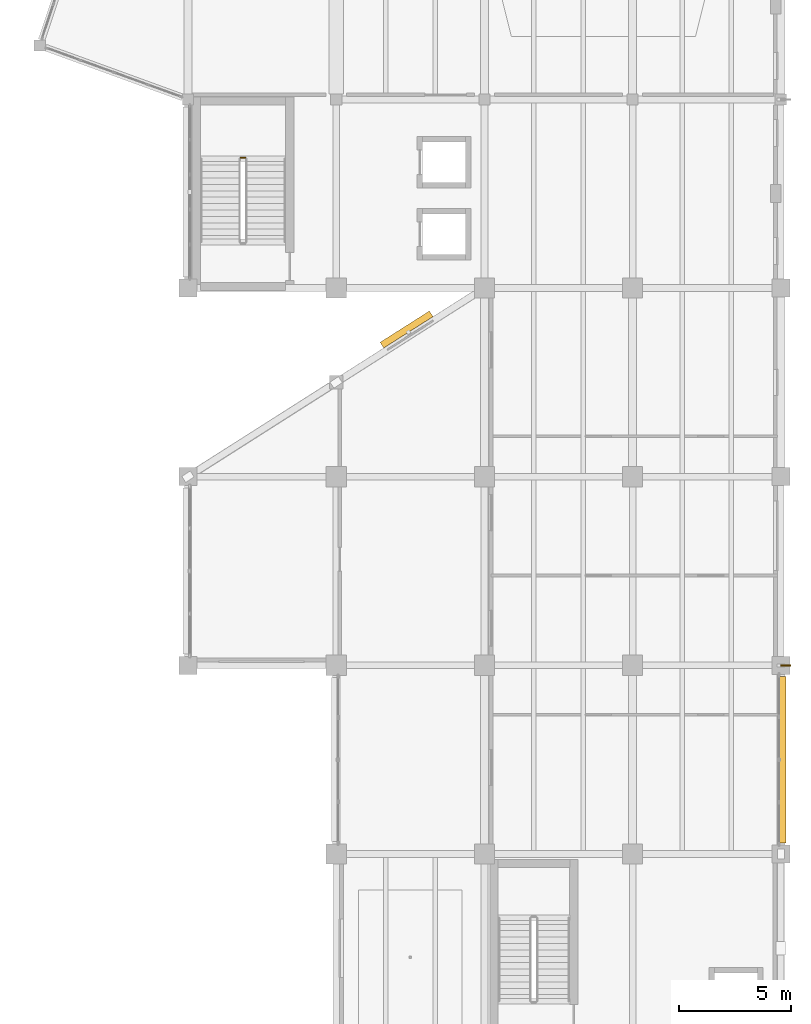
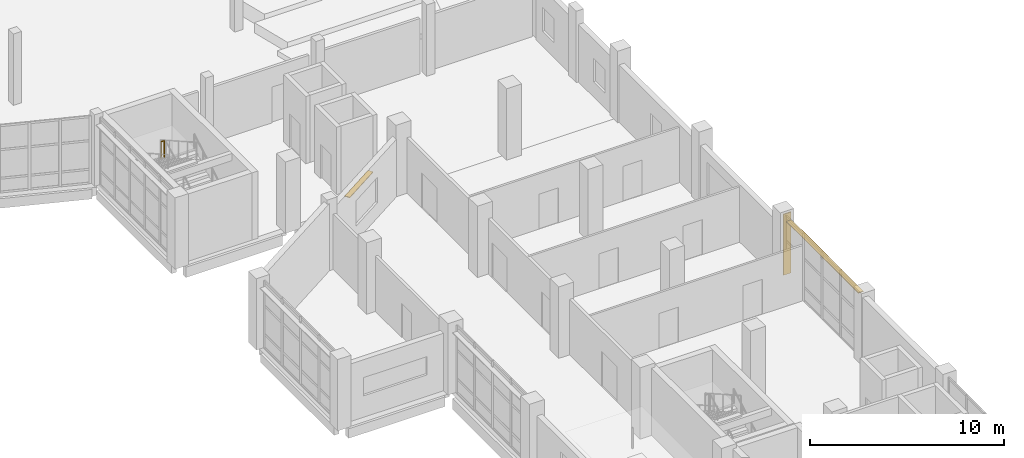
# One storey, part 74 of 76: 3 shading devices, 1 railing.
"""IFC4 building model written with IfcOpenShell, lengths in metres."""

from ifc_helpers import new_model, si_unit, direction, frame, origin, origin_2d, place, context, subcontext, project, spatial, rectangle, circle, extrude, material, layer, layer_set, type_object, element, save


model = new_model("IFC4")

# Units and contexts
model_context = context("Model", 3, precision=1e-05, world=origin(), true_north=direction((0.0, 1.0)))
body_context = subcontext(model_context, "Body", "Model", "MODEL_VIEW")
ifc_project = project(units=[si_unit("LENGTHUNIT", "METRE"), si_unit("AREAUNIT", "SQUARE_METRE"), si_unit("VOLUMEUNIT", "CUBIC_METRE"), si_unit("PLANEANGLEUNIT", "RADIAN"), si_unit("MASSUNIT", "GRAM", prefix="KILO")], contexts=[model_context])

# Site, building, storey
site_placement = place(None, origin())
site = spatial("IfcSite", under=ifc_project, at=site_placement, CompositionType="ELEMENT")
building_placement = place(site_placement, origin())
building = spatial("IfcBuilding", under=site, at=building_placement, Name="Qaldarim Faculty of Natural and Applied Sciences", CompositionType="ELEMENT")
storey_placement = place(building_placement, frame((0.0, 0.0, 9.89990234375)))
storey = spatial("IfcBuildingStorey", under=building, at=storey_placement, Name="L02", CompositionType="ELEMENT", Elevation=9.89990234375)

# Railing
ifc_material_1 = material(Name="Architectural stainless steel 316", Category="steel")
railing_type = type_object("IfcRailingType", Name="GuardBalustrade-1100", PredefinedType="BALUSTRADE", material=ifc_material_1)
railing_placement = place(storey_placement, frame((154.35009765625, 64.60498046875, 2.25)))
element("IfcRailing", 1, at=railing_placement, inside=storey, type_object=railing_type, Name="ST-C1 L02 stair well guard 2", PredefinedType="BALUSTRADE", context=body_context, shape_type="SweptSolid", body=[
    extrude(circle(Radius=0.02392578125, at=origin_2d()), frame((0.0, 0.0, 1.076171875), z_axis=(-1.0, 0.0, 0.0), x_axis=(0.0, -1.0, 0.0)), (0.0, 0.0, 1.0), 0.2001953125),
    extrude(circle(Radius=0.02099609375, at=origin_2d()), origin(), (0.0, 0.0, 1.0), 1.052001953125),
    extrude(circle(Radius=0.02099609375, at=origin_2d()), frame((-0.2001953125, 0.0, 0.0)), (0.0, 0.0, 1.0), 1.052001953125),
])

# Shading devices
ifc_material_2 = material(Name="Champagne anodised aluminium AW-6063", Category="aluminium")
ifc_layer_1 = layer(ifc_material_2, 0.050048828125)
ifc_layer_set_1 = layer_set([ifc_layer_1], Name="Champagne anodised aluminium AW-6063")
shading_device_type_1 = type_object("IfcShadingDeviceType", Name="SolarLouvre-ALU300x50", PredefinedType="JALOUSIE", material=ifc_layer_set_1)
shading_device_1_placement = place(storey_placement, frame((178.27001953125, 37.800048828125, 3.865234375), z_axis=(0.0, 0.0, 1.0), x_axis=(0.0, 1.0, 0.0)))
element("IfcShadingDevice", 2, at=shading_device_1_placement, inside=storey, type_object=shading_device_type_1, Name="Horizontal solar louvre L02 E X27Y05", PredefinedType="JALOUSIE", context=body_context, shape_type="SweptSolid", body=[
    extrude(rectangle(XDim=7.409912109375, YDim=0.300048828125, at=origin_2d()), origin(), (0.0, 0.0, 1.0), 0.050048828125),
])
shading_device_2_placement = place(storey_placement, frame((161.534912109375, 56.955078125, 2.67529296875), z_axis=(0.0, 0.0, 1.0), x_axis=(0.843775713382, 0.536695952571, 0.0)))
element("IfcShadingDevice", 3, at=shading_device_2_placement, inside=storey, type_object=shading_device_type_1, Name="Oblique facade horizontal solar louvre SHD-OBL-NW-L02-2", PredefinedType="JALOUSIE", context=body_context, shape_type="SweptSolid", body=[
    extrude(rectangle(XDim=2.60009765625, YDim=0.300048828125, at=origin_2d()), origin(), (0.0, 0.0, 1.0), 0.050048828125),
])
ifc_layer_2 = layer(ifc_material_2, 0.06005859375)
ifc_layer_set_2 = layer_set([ifc_layer_2], Name="Champagne anodised aluminium AW-6063")
shading_device_type_2 = type_object("IfcShadingDeviceType", Name="VerticalSunFin-ALU450x60", PredefinedType="SHUTTER", material=ifc_layer_set_2)
shading_device_3_placement = place(storey_placement, frame((178.425048828125, 42.0, 0.2001953125), z_axis=(0.0, 0.0, 1.0), x_axis=(1.0, 0.0, 0.0)))
element("IfcShadingDevice", 4, at=shading_device_3_placement, inside=storey, type_object=shading_device_type_2, Name="Vertical solar fin FIN-L02-X28Y06", PredefinedType="SHUTTER", context=body_context, shape_type="SweptSolid", body=[
    extrude(rectangle(XDim=0.449951171875, YDim=0.06005859375, at=origin_2d()), origin(), (0.0, 0.0, 1.0), 3.840087890625),
])

save(model, "model.ifc")
